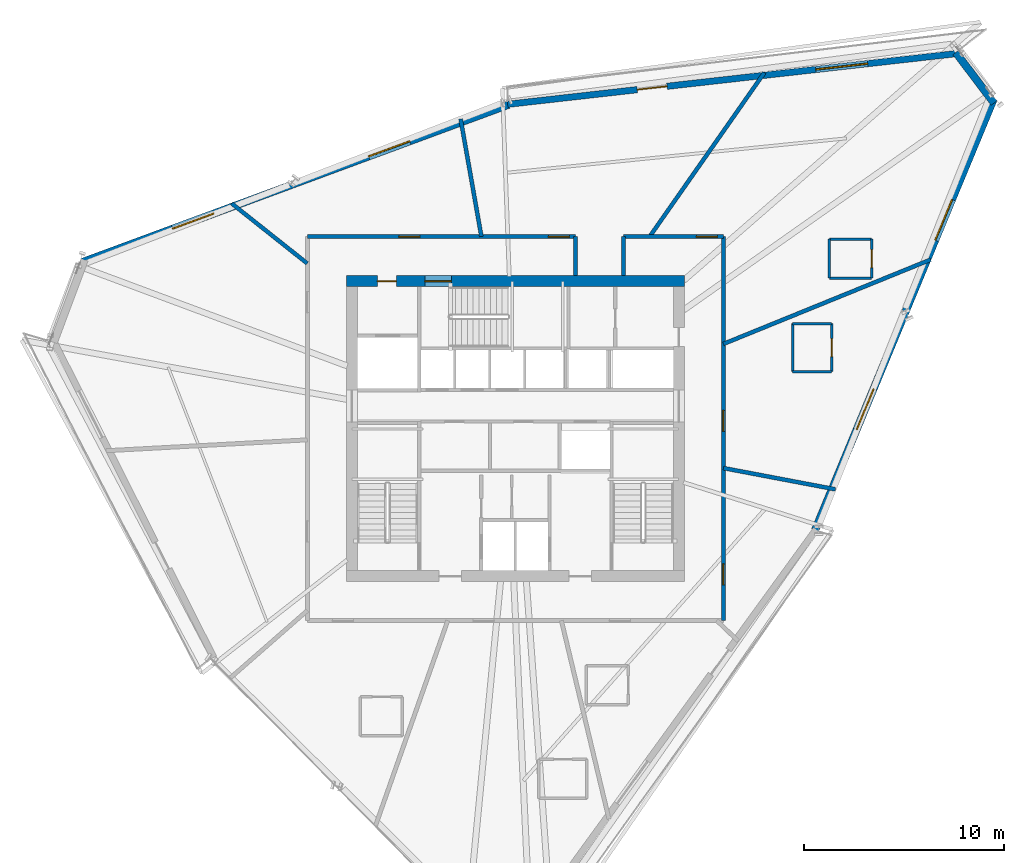
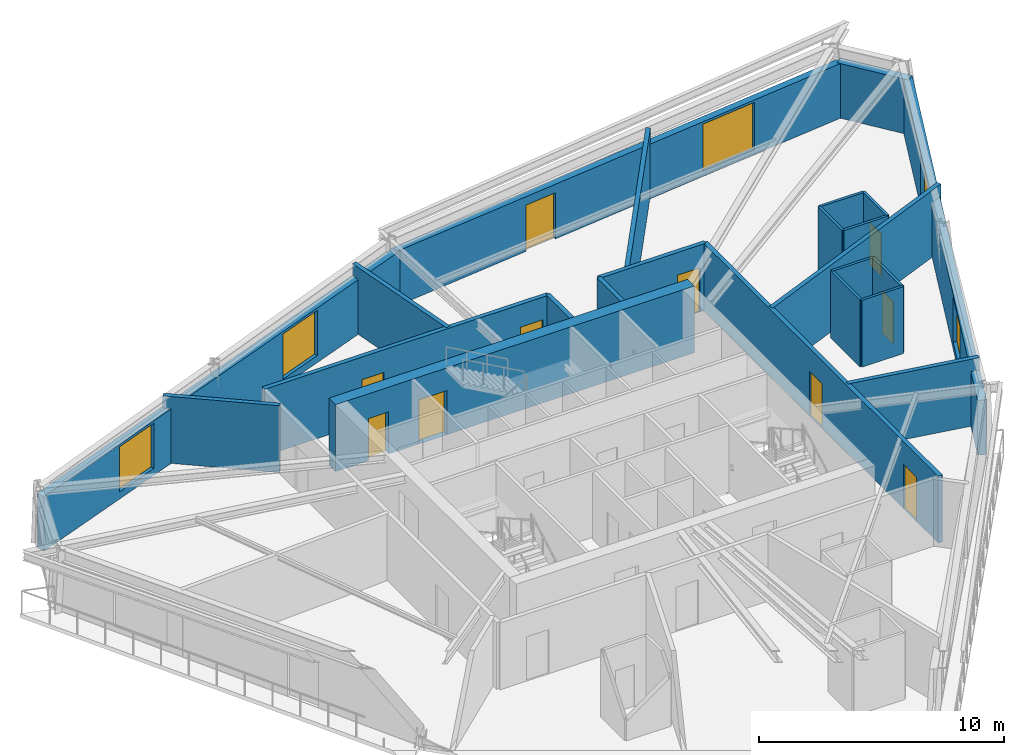
# One storey, part 10 of 14: 23 walls, 10 doors, 5 windows, 15 openings.
"""IFC4 building model written with IfcOpenShell, lengths in metres."""

from ifc_helpers import new_model, si_unit, direction, frame, frame_2d, origin, place, context, subcontext, project, spatial, rectangle, extrude, source, transform, mapped, material, layer, layer_set, type_object, type_shapes, element, fill, save


model = new_model("IFC4")

# Units and contexts
model_context = context("Model", 3, precision=1e-05, world=origin(), true_north=direction((0.0, 1.0)))
body_context = subcontext(model_context, "Body", "Model", "MODEL_VIEW")
ifc_project = project(units=[si_unit("LENGTHUNIT", "METRE"), si_unit("AREAUNIT", "SQUARE_METRE"), si_unit("VOLUMEUNIT", "CUBIC_METRE"), si_unit("PLANEANGLEUNIT", "RADIAN"), si_unit("MASSUNIT", "GRAM", prefix="KILO")], contexts=[model_context])

# Site, building, storey
site_placement = place(None, origin())
site = spatial("IfcSite", under=ifc_project, at=site_placement, CompositionType="ELEMENT")
building_placement = place(site_placement, origin())
building = spatial("IfcBuilding", under=site, at=building_placement, Name="Olszyna Solenne Hotel", CompositionType="ELEMENT")
storey_placement = place(building_placement, frame((0.0, 0.0, 185.64990234375)))
storey = spatial("IfcBuildingStorey", under=building, at=storey_placement, Name="L49", CompositionType="ELEMENT", Elevation=185.64990234375)

# Wall, openings, doors
ifc_material_1 = material(Name="Concrete C50/60", Category="concrete")
ifc_layer_1 = layer(ifc_material_1, 0.550048828125, Name="Concrete C50/60")
ifc_layer_set_1 = layer_set([ifc_layer_1], Name="Concrete C50/60")
wall_type_1 = type_object("IfcWallType", Name="WL-CR550", PredefinedType="SHEAR", material=ifc_layer_set_1)
wall_1_placement = place(storey_placement, frame((29.550048828125, 33.97509765625, 0.0), z_axis=(0.0, 0.0, 1.0), x_axis=(1.0, 0.0, 0.0)))
wall_1 = element("IfcWall", 1, at=wall_1_placement, inside=storey, type_object=wall_type_1, Name="Core shear wall WL-CR550 CRW-L49-N", PredefinedType="SHEAR", context=body_context, shape_type="SweptSolid", body=[
    extrude(rectangle(XDim=16.89990234375, YDim=0.550048828125, at=frame_2d((8.449951171875, 0.0))), origin(), (0.0, 0.0, 1.0), 3.330078125),
])
opening_1_placement = place(wall_1_placement, frame((1.550048828125, 0.0, 0.0)))
opening_1 = element("IfcOpeningElement", 2, at=opening_1_placement, cuts=wall_1, Name="Opening SVD-L49-01", PredefinedType="OPENING", context=body_context, shape_type="SweptSolid", body=[
    extrude(rectangle(XDim=0.949951171875, YDim=2.10009765625, at=frame_2d((0.47509765625, 1.050048828125))), frame((0.0, 0.28515625, 0.0), z_axis=(0.0, -1.0, 0.0), x_axis=(1.0, 0.0, 0.0)), (0.0, 0.0, 1.0), 0.570068359375),
])
opening_2_placement = place(wall_1_placement, frame((3.929931640625, 0.0, 0.0)))
opening_2 = element("IfcOpeningElement", 3, at=opening_2_placement, cuts=wall_1, Name="Opening STD-L49-03", PredefinedType="OPENING", context=body_context, shape_type="SweptSolid", body=[
    extrude(rectangle(XDim=1.320068359375, YDim=2.199951171875, at=frame_2d((0.66015625, 1.10009765625))), frame((0.0, 0.28515625, 0.0), z_axis=(0.0, -1.0, 0.0), x_axis=(1.0, 0.0, 0.0)), (0.0, 0.0, 1.0), 0.570068359375),
])
ifc_material_2 = material(Name="Steel S355J2", Category="steel")
door_type_1 = type_object("IfcDoorType", Name="DR-ST1", OperationType="NOTDEFINED", PredefinedType="DOOR", material=ifc_material_2)
shared_shape_1 = source(origin(), body_context, "Body", "SweptSolid", [
    extrude(rectangle(XDim=1.320068359375, YDim=2.199951171875, at=frame_2d((0.66015625, 1.10009765625))), frame((0.0, 0.02490234375, 0.0), z_axis=(0.0, -1.0, 0.0), x_axis=(1.0, 0.0, 0.0)), (0.0, 0.0, 1.0), 0.050048828125),
])
type_shapes(door_type_1, [shared_shape_1])
door_1_placement = place(opening_2_placement, origin())
door_1 = element("IfcDoor", 4, at=door_1_placement, inside=storey, type_object=door_type_1, Name="Pressurised exit stair ST3 fire door STD-L49-03", OperationType="SINGLE_SWING_RIGHT", OverallHeight=2.199951171875, OverallWidth=1.320068359375, PredefinedType="DOOR", context=body_context, shape_type="MappedRepresentation", body=[
    mapped(shared_shape_1, transform((0.0, 0.0, 0.0), x_axis=(1.0, 0.0, 0.0), y_axis=(0.0, 1.0, 0.0), z_axis=(0.0, 0.0, 1.0), scale=1.0)),
])
fill(opening_2, door_1)
door_type_2 = type_object("IfcDoorType", Name="DR-SV1", OperationType="NOTDEFINED", PredefinedType="DOOR", material=ifc_material_2)
shared_shape_2 = source(origin(), body_context, "Body", "SweptSolid", [
    extrude(rectangle(XDim=0.949951171875, YDim=2.10009765625, at=frame_2d((0.47509765625, 1.050048828125))), frame((0.0, 0.02490234375, 0.0), z_axis=(0.0, -1.0, 0.0), x_axis=(1.0, 0.0, 0.0)), (0.0, 0.0, 1.0), 0.050048828125),
])
type_shapes(door_type_2, [shared_shape_2])
door_2_placement = place(opening_1_placement, origin())
door_2 = element("IfcDoor", 5, at=door_2_placement, inside=storey, type_object=door_type_2, Name="Service lift lobby fire door SVD-L49-01", OperationType="SINGLE_SWING_LEFT", OverallHeight=2.10009765625, OverallWidth=0.949951171875, PredefinedType="DOOR", context=body_context, shape_type="MappedRepresentation", body=[
    mapped(shared_shape_2, transform((0.0, 0.0, 0.0), x_axis=(1.0, 0.0, 0.0), y_axis=(0.0, 1.0, 0.0), z_axis=(0.0, 0.0, 1.0), scale=1.0)),
])
fill(opening_1, door_2)

# Wall, openings, door, window
ifc_material_3 = material(Name="Precast concrete C45/55", Category="concrete")
ifc_layer_2 = layer(ifc_material_3, 0.320068359375, Name="Precast concrete C45/55")
ifc_layer_set_2 = layer_set([ifc_layer_2], Name="Precast concrete C45/55")
wall_type_2 = type_object("IfcWallType", Name="WL-EX320", PredefinedType="SOLIDWALL", material=ifc_layer_set_2)
wall_2_placement = place(storey_placement, frame((37.612060546875, 42.80810546875, 0.0), z_axis=(0.0, 0.0, 1.0), x_axis=(0.993680751004, 0.112243329794, 0.0)))
wall_2 = element("IfcWall", 6, at=wall_2_placement, inside=storey, type_object=wall_type_2, Name="Exterior terracotta-precast frame wall WL-EX320 EW-L49-08", PredefinedType="SOLIDWALL", context=body_context, shape_type="SweptSolid", body=[
    extrude(rectangle(XDim=22.714599609375, YDim=0.320068359375, at=frame_2d((11.357421875, 0.0))), origin(), (0.0, 0.0, 1.0), 2.72216796875),
])
opening_3_placement = place(wall_2_placement, frame((6.51904296875, 0.0, 0.0)))
opening_3 = element("IfcOpeningElement", 7, at=opening_3_placement, cuts=wall_2, Name="Opening LDG-L49-1", PredefinedType="OPENING", context=body_context, shape_type="SweptSolid", body=[
    extrude(rectangle(XDim=1.5, YDim=2.300048828125, at=frame_2d((0.75, 1.14990234375))), frame((0.0, 0.169921875, 0.0), z_axis=(0.0, -1.0, 0.0), x_axis=(1.0, 0.0, 0.0)), (0.0, 0.0, 1.0), 0.340087890625),
])
opening_4_placement = place(wall_2_placement, frame((15.509033203125, 0.0, 0.251953125)))
opening_4 = element("IfcOpeningElement", 8, at=opening_4_placement, cuts=wall_2, Name="Opening WN-L49-312", PredefinedType="OPENING", context=body_context, shape_type="SweptSolid", body=[
    extrude(rectangle(XDim=2.60009765625, YDim=2.35009765625, at=frame_2d((1.300048828125, 1.175048828125))), frame((0.0, 0.169921875, 0.0), z_axis=(0.0, -1.0, 0.0), x_axis=(1.0, 0.0, 0.0)), (0.0, 0.0, 1.0), 0.340087890625),
])
ifc_material_4 = material(Name="Anodised bronze aluminium", Category="aluminium")
door_type_3 = type_object("IfcDoorType", Name="DR-LG2", OperationType="DOUBLE_DOOR_SINGLE_SWING", PredefinedType="DOOR", material=ifc_material_4)
shared_shape_3 = source(origin(), body_context, "Body", "SweptSolid", [
    extrude(rectangle(XDim=1.5, YDim=2.300048828125, at=frame_2d((0.75, 1.14990234375))), frame((0.0, 0.02490234375, 0.0), z_axis=(0.0, -1.0, 0.0), x_axis=(1.0, 0.0, 0.0)), (0.0, 0.0, 1.0), 0.050048828125),
])
type_shapes(door_type_3, [shared_shape_3])
door_3_placement = place(opening_3_placement, origin())
door_3 = element("IfcDoor", 9, at=door_3_placement, inside=storey, type_object=door_type_3, Name="Exterior loggia balcony door DR-LG2 LDG-L49-1", OperationType="DOUBLE_DOOR_SINGLE_SWING", OverallHeight=2.300048828125, OverallWidth=1.5, PredefinedType="DOOR", context=body_context, shape_type="MappedRepresentation", body=[
    mapped(shared_shape_3, transform((0.0, 0.0, 0.0), x_axis=(1.0, 0.0, 0.0), y_axis=(0.0, 1.0, 0.0), z_axis=(0.0, 0.0, 1.0), scale=1.0)),
])
fill(opening_3, door_3)
ifc_material_5 = material(Name="Low-E triple glazing", Category="glass")
window_type_1 = type_object("IfcWindowType", Name="WN-ST1", PartitioningType="SINGLE_PANEL", PredefinedType="WINDOW", material=ifc_material_5)
shared_shape_4 = source(origin(), body_context, "Body", "SweptSolid", [
    extrude(rectangle(XDim=2.60009765625, YDim=2.35009765625, at=frame_2d((1.300048828125, 1.175048828125))), frame((0.0, 0.030029296875, 0.0), z_axis=(0.0, -1.0, 0.0), x_axis=(1.0, 0.0, 0.0)), (0.0, 0.0, 1.0), 0.06005859375),
])
type_shapes(window_type_1, [shared_shape_4])
window_1_placement = place(opening_4_placement, origin())
window_1 = element("IfcWindow", 10, at=window_1_placement, inside=storey, type_object=window_type_1, Name="Loggia room window WN-ST1 WN-L49-312", OverallHeight=2.35009765625, OverallWidth=2.60009765625, PartitioningType="SINGLE_PANEL", PredefinedType="WINDOW", context=body_context, shape_type="MappedRepresentation", body=[
    mapped(shared_shape_4, transform((0.0, 0.0, 0.0), x_axis=(1.0, 0.0, 0.0), y_axis=(0.0, 1.0, 0.0), z_axis=(0.0, 0.0, 1.0), scale=1.0)),
])
fill(opening_4, window_1)

# Wall, openings, windows
ifc_material_6 = material(Name="Terracotta cladding on precast concrete C45/55", Category="masonry")
ifc_layer_3 = layer(ifc_material_6, 0.3798828125, Name="Terracotta cladding on precast concrete C45/55")
ifc_layer_set_3 = layer_set([ifc_layer_3], Name="Terracotta cladding on precast concrete C45/55")
wall_type_3 = type_object("IfcWallType", Name="WL-EX380", PredefinedType="SOLIDWALL", material=ifc_layer_set_3)
wall_3_placement = place(storey_placement, frame((16.350830078125, 34.92236328125, 0.0), z_axis=(0.0, 0.0, 1.0), x_axis=(0.938118125274, 0.346315438629, 0.0)))
wall_3 = element("IfcWall", 11, at=wall_3_placement, inside=storey, type_object=wall_type_3, Name="Exterior terracotta-precast frame wall WL-EX380 EW-L49-07", PredefinedType="SOLIDWALL", context=body_context, shape_type="SweptSolid", body=[
    extrude(rectangle(XDim=22.714599609375, YDim=0.3798828125, at=frame_2d((11.357421875, 0.0))), origin(), (0.0, 0.0, 1.0), 2.72216796875),
])
opening_5_placement = place(wall_3_placement, frame((4.81005859375, 0.0, 0.35205078125)))
opening_5 = element("IfcOpeningElement", 12, at=opening_5_placement, cuts=wall_3, Name="Opening WN-L49-310", PredefinedType="OPENING", context=body_context, shape_type="SweptSolid", body=[
    extrude(rectangle(XDim=2.199951171875, YDim=2.25, at=frame_2d((1.10009765625, 1.125))), frame((0.0, 0.199951171875, 0.0), z_axis=(0.0, -1.0, 0.0), x_axis=(1.0, 0.0, 0.0)), (0.0, 0.0, 1.0), 0.39990234375),
])
opening_6_placement = place(wall_3_placement, frame((15.2548828125, 0.0, 0.35205078125)))
opening_6 = element("IfcOpeningElement", 13, at=opening_6_placement, cuts=wall_3, Name="Opening WN-L49-311", PredefinedType="OPENING", context=body_context, shape_type="SweptSolid", body=[
    extrude(rectangle(XDim=2.199951171875, YDim=2.25, at=frame_2d((1.10009765625, 1.125))), frame((0.0, 0.199951171875, 0.0), z_axis=(0.0, -1.0, 0.0), x_axis=(1.0, 0.0, 0.0)), (0.0, 0.0, 1.0), 0.39990234375),
])
window_type_2 = type_object("IfcWindowType", Name="WN-HT2", PartitioningType="SINGLE_PANEL", PredefinedType="WINDOW", material=ifc_material_5)
shared_shape_5 = source(origin(), body_context, "Body", "SweptSolid", [
    extrude(rectangle(XDim=2.199951171875, YDim=2.25, at=frame_2d((1.10009765625, 1.125))), frame((0.0, 0.030029296875, 0.0), z_axis=(0.0, -1.0, 0.0), x_axis=(1.0, 0.0, 0.0)), (0.0, 0.0, 1.0), 0.06005859375),
])
type_shapes(window_type_2, [shared_shape_5])
window_2_placement = place(opening_5_placement, origin())
window_2 = element("IfcWindow", 14, at=window_2_placement, inside=storey, type_object=window_type_2, Name="Exterior facade window WN-HT2 WN-L49-310", OverallHeight=2.25, OverallWidth=2.199951171875, PartitioningType="SINGLE_PANEL", PredefinedType="WINDOW", context=body_context, shape_type="MappedRepresentation", body=[
    mapped(shared_shape_5, transform((0.0, 0.0, 0.0), x_axis=(1.0, 0.0, 0.0), y_axis=(0.0, 1.0, 0.0), z_axis=(0.0, 0.0, 1.0), scale=1.0)),
])
fill(opening_5, window_2)
window_3_placement = place(opening_6_placement, origin())
window_3 = element("IfcWindow", 15, at=window_3_placement, inside=storey, type_object=window_type_2, Name="Exterior facade window WN-HT2 WN-L49-311", OverallHeight=2.25, OverallWidth=2.199951171875, PartitioningType="SINGLE_PANEL", PredefinedType="WINDOW", context=body_context, shape_type="MappedRepresentation", body=[
    mapped(shared_shape_5, transform((0.0, 0.0, 0.0), x_axis=(1.0, 0.0, 0.0), y_axis=(0.0, 1.0, 0.0), z_axis=(0.0, 0.0, 1.0), scale=1.0)),
])
fill(opening_6, window_3)

# Wall
wall_4_placement = place(storey_placement, frame((60.013671875, 45.402099609375, 0.0), z_axis=(0.0, 0.0, 1.0), x_axis=(0.602530725423, -0.79809568657, 0.0)))
element("IfcWall", 16, at=wall_4_placement, inside=storey, type_object=wall_type_3, Name="Exterior terracotta-precast frame wall WL-EX380 EW-L49-09", PredefinedType="SOLIDWALL", context=body_context, shape_type="SweptSolid", body=[
    extrude(rectangle(XDim=3.17578125, YDim=0.3798828125, at=frame_2d((1.587890625, 0.0))), origin(), (0.0, 0.0, 1.0), 2.72216796875),
])

# Wall, openings, windows
wall_5_placement = place(storey_placement, frame((61.9033203125, 43.0546875, 0.0), z_axis=(0.0, 0.0, 1.0), x_axis=(-0.382868163496, -0.923802992732, 0.0)))
wall_5 = element("IfcWall", 17, at=wall_5_placement, inside=storey, type_object=wall_type_3, Name="Exterior terracotta-precast frame wall WL-EX380 EW-L49-10", PredefinedType="SOLIDWALL", context=body_context, shape_type="SweptSolid", body=[
    extrude(rectangle(XDim=23.285400390625, YDim=0.3798828125, at=frame_2d((11.642578125, 0.0))), origin(), (0.0, 0.0, 1.0), 2.72216796875),
])
opening_7_placement = place(wall_5_placement, frame((5.419921875, 0.0, 0.35205078125)))
opening_7 = element("IfcOpeningElement", 18, at=opening_7_placement, cuts=wall_5, Name="Opening WN-L49-313", PredefinedType="OPENING", context=body_context, shape_type="SweptSolid", body=[
    extrude(rectangle(XDim=2.199951171875, YDim=2.25, at=frame_2d((1.10009765625, 1.125))), frame((0.0, 0.199951171875, 0.0), z_axis=(0.0, -1.0, 0.0), x_axis=(1.0, 0.0, 0.0)), (0.0, 0.0, 1.0), 0.39990234375),
])
opening_8_placement = place(wall_5_placement, frame((15.6650390625, 0.0, 0.35205078125)))
opening_8 = element("IfcOpeningElement", 19, at=opening_8_placement, cuts=wall_5, Name="Opening WN-L49-314", PredefinedType="OPENING", context=body_context, shape_type="SweptSolid", body=[
    extrude(rectangle(XDim=2.199951171875, YDim=2.25, at=frame_2d((1.10009765625, 1.125))), frame((0.0, 0.199951171875, 0.0), z_axis=(0.0, -1.0, 0.0), x_axis=(1.0, 0.0, 0.0)), (0.0, 0.0, 1.0), 0.39990234375),
])
window_4_placement = place(opening_7_placement, origin())
window_4 = element("IfcWindow", 20, at=window_4_placement, inside=storey, type_object=window_type_2, Name="Exterior facade window WN-HT2 WN-L49-313", OverallHeight=2.25, OverallWidth=2.199951171875, PartitioningType="SINGLE_PANEL", PredefinedType="WINDOW", context=body_context, shape_type="MappedRepresentation", body=[
    mapped(shared_shape_5, transform((0.0, 0.0, 0.0), x_axis=(1.0, 0.0, 0.0), y_axis=(0.0, 1.0, 0.0), z_axis=(0.0, 0.0, 1.0), scale=1.0)),
])
fill(opening_7, window_4)
window_5_placement = place(opening_8_placement, origin())
window_5 = element("IfcWindow", 21, at=window_5_placement, inside=storey, type_object=window_type_2, Name="Exterior facade window WN-HT2 WN-L49-314", OverallHeight=2.25, OverallWidth=2.199951171875, PartitioningType="SINGLE_PANEL", PredefinedType="WINDOW", context=body_context, shape_type="MappedRepresentation", body=[
    mapped(shared_shape_5, transform((0.0, 0.0, 0.0), x_axis=(1.0, 0.0, 0.0), y_axis=(0.0, 1.0, 0.0), z_axis=(0.0, 0.0, 1.0), scale=1.0)),
])
fill(opening_8, window_5)

# Wall, opening, door
ifc_material_7 = material(Name="Acoustic gypsum partition", Category="gypsum")
ifc_layer_4 = layer(ifc_material_7, 0.125, Name="Acoustic gypsum partition")
ifc_layer_set_4 = layer_set([ifc_layer_4], Name="Acoustic gypsum partition")
wall_type_4 = type_object("IfcWallType", Name="WL-PT125", PredefinedType="PARTITIONING", material=ifc_layer_set_4)
wall_6_placement = place(storey_placement, frame((53.806884765625, 29.451904296875, 0.0), z_axis=(0.0, 0.0, 1.0), x_axis=(0.0, 1.0, 0.0)))
wall_6 = element("IfcWall", 22, at=wall_6_placement, inside=storey, type_object=wall_type_4, Name="Interior acoustic partition WL-PT125 PW-L49-2771", PredefinedType="PARTITIONING", context=body_context, shape_type="SweptSolid", body=[
    extrude(rectangle(XDim=2.400146484375, YDim=0.125, at=frame_2d((1.2001953125, 0.0))), origin(), (0.0, 0.0, 1.0), 3.330078125),
])
opening_9_placement = place(wall_6_placement, frame((0.75, 0.0, 0.0)))
opening_9 = element("IfcOpeningElement", 23, at=opening_9_placement, cuts=wall_6, Name="Opening DR-L49-0669", PredefinedType="OPENING", context=body_context, shape_type="SweptSolid", body=[
    extrude(rectangle(XDim=0.89990234375, YDim=2.10009765625, at=frame_2d((0.449951171875, 1.050048828125))), frame((0.0, 0.072509765625, 0.0), z_axis=(0.0, -1.0, 0.0), x_axis=(1.0, 0.0, 0.0)), (0.0, 0.0, 1.0), 0.14501953125),
])
ifc_material_8 = material(Name="Timber hardwood", Category="wood")
door_type_4 = type_object("IfcDoorType", Name="DR-WC1", OperationType="NOTDEFINED", PredefinedType="DOOR", material=ifc_material_8)
shared_shape_6 = source(origin(), body_context, "Body", "SweptSolid", [
    extrude(rectangle(XDim=0.89990234375, YDim=2.10009765625, at=frame_2d((0.449951171875, 1.050048828125))), frame((0.0, 0.02490234375, 0.0), z_axis=(0.0, -1.0, 0.0), x_axis=(1.0, 0.0, 0.0)), (0.0, 0.0, 1.0), 0.050048828125),
])
type_shapes(door_type_4, [shared_shape_6])
door_4_placement = place(opening_9_placement, origin())
door_4 = element("IfcDoor", 24, at=door_4_placement, inside=storey, type_object=door_type_4, Name="En-Suite Bathroom Door DR-L49-0669", OperationType="SINGLE_SWING_RIGHT", OverallHeight=2.10009765625, OverallWidth=0.89990234375, PredefinedType="DOOR", context=body_context, shape_type="MappedRepresentation", body=[
    mapped(shared_shape_6, transform((0.0, 0.0, 0.0), x_axis=(1.0, 0.0, 0.0), y_axis=(0.0, 1.0, 0.0), z_axis=(0.0, 0.0, 1.0), scale=1.0)),
])
fill(opening_9, door_4)

# Walls
wall_7_placement = place(storey_placement, frame((53.806884765625, 31.85205078125, 0.0), z_axis=(0.0, 0.0, 1.0), x_axis=(-1.0, 0.0, 0.0)))
element("IfcWall", 25, at=wall_7_placement, inside=storey, type_object=wall_type_4, Name="Interior acoustic partition WL-PT125 PW-L49-2772", PredefinedType="PARTITIONING", context=body_context, shape_type="SweptSolid", body=[
    extrude(rectangle(XDim=1.949951171875, YDim=0.125, at=frame_2d((0.97509765625, 0.0))), origin(), (0.0, 0.0, 1.0), 3.330078125),
])
wall_8_placement = place(storey_placement, frame((51.85693359375, 31.85205078125, 0.0), z_axis=(0.0, 0.0, 1.0), x_axis=(0.0, -1.0, 0.0)))
element("IfcWall", 26, at=wall_8_placement, inside=storey, type_object=wall_type_4, Name="Interior acoustic partition WL-PT125 PW-L49-2773", PredefinedType="PARTITIONING", context=body_context, shape_type="SweptSolid", body=[
    extrude(rectangle(XDim=2.400146484375, YDim=0.125, at=frame_2d((1.2001953125, 0.0))), origin(), (0.0, 0.0, 1.0), 3.330078125),
])
wall_9_placement = place(storey_placement, frame((51.85693359375, 29.451904296875, 0.0), z_axis=(0.0, 0.0, 1.0), x_axis=(1.0, 0.0, 0.0)))
element("IfcWall", 27, at=wall_9_placement, inside=storey, type_object=wall_type_4, Name="Interior acoustic partition WL-PT125 PW-L49-2774", PredefinedType="PARTITIONING", context=body_context, shape_type="SweptSolid", body=[
    extrude(rectangle(XDim=1.949951171875, YDim=0.125, at=frame_2d((0.97509765625, 0.0))), origin(), (0.0, 0.0, 1.0), 3.330078125),
])

# Wall, opening, door
wall_10_placement = place(storey_placement, frame((55.801025390625, 34.114990234375, 0.0), z_axis=(0.0, 0.0, 1.0), x_axis=(0.0, 1.0, 0.0)))
wall_10 = element("IfcWall", 28, at=wall_10_placement, inside=storey, type_object=wall_type_4, Name="Interior acoustic partition WL-PT125 PW-L49-2775", PredefinedType="PARTITIONING", context=body_context, shape_type="SweptSolid", body=[
    extrude(rectangle(XDim=1.949951171875, YDim=0.125, at=frame_2d((0.97509765625, 0.0))), origin(), (0.0, 0.0, 1.0), 3.330078125),
])
opening_10_placement = place(wall_10_placement, frame((0.52490234375, 0.0, 0.0)))
opening_10 = element("IfcOpeningElement", 29, at=opening_10_placement, cuts=wall_10, Name="Opening DR-L49-0670", PredefinedType="OPENING", context=body_context, shape_type="SweptSolid", body=[
    extrude(rectangle(XDim=0.89990234375, YDim=2.10009765625, at=frame_2d((0.449951171875, 1.050048828125))), frame((0.0, 0.072509765625, 0.0), z_axis=(0.0, -1.0, 0.0), x_axis=(1.0, 0.0, 0.0)), (0.0, 0.0, 1.0), 0.14501953125),
])
door_5_placement = place(opening_10_placement, origin())
door_5 = element("IfcDoor", 30, at=door_5_placement, inside=storey, type_object=door_type_4, Name="En-Suite Bathroom Door DR-L49-0670", OperationType="SINGLE_SWING_RIGHT", OverallHeight=2.10009765625, OverallWidth=0.89990234375, PredefinedType="DOOR", context=body_context, shape_type="MappedRepresentation", body=[
    mapped(shared_shape_6, transform((0.0, 0.0, 0.0), x_axis=(1.0, 0.0, 0.0), y_axis=(0.0, 1.0, 0.0), z_axis=(0.0, 0.0, 1.0), scale=1.0)),
])
fill(opening_10, door_5)

# Walls
wall_11_placement = place(storey_placement, frame((55.801025390625, 36.06494140625, 0.0), z_axis=(0.0, 0.0, 1.0), x_axis=(-1.0, 0.0, 0.0)))
element("IfcWall", 31, at=wall_11_placement, inside=storey, type_object=wall_type_4, Name="Interior acoustic partition WL-PT125 PW-L49-2776", PredefinedType="PARTITIONING", context=body_context, shape_type="SweptSolid", body=[
    extrude(rectangle(XDim=2.10009765625, YDim=0.125, at=frame_2d((1.050048828125, 0.0))), origin(), (0.0, 0.0, 1.0), 3.330078125),
])
wall_12_placement = place(storey_placement, frame((53.700927734375, 36.06494140625, 0.0), z_axis=(0.0, 0.0, 1.0), x_axis=(0.0, -1.0, 0.0)))
element("IfcWall", 32, at=wall_12_placement, inside=storey, type_object=wall_type_4, Name="Interior acoustic partition WL-PT125 PW-L49-2777", PredefinedType="PARTITIONING", context=body_context, shape_type="SweptSolid", body=[
    extrude(rectangle(XDim=1.949951171875, YDim=0.125, at=frame_2d((0.97509765625, 0.0))), origin(), (0.0, 0.0, 1.0), 3.330078125),
])
wall_13_placement = place(storey_placement, frame((53.700927734375, 34.114990234375, 0.0), z_axis=(0.0, 0.0, 1.0), x_axis=(1.0, 0.0, 0.0)))
element("IfcWall", 33, at=wall_13_placement, inside=storey, type_object=wall_type_4, Name="Interior acoustic partition WL-PT125 PW-L49-2778", PredefinedType="PARTITIONING", context=body_context, shape_type="SweptSolid", body=[
    extrude(rectangle(XDim=2.10009765625, YDim=0.125, at=frame_2d((1.050048828125, 0.0))), origin(), (0.0, 0.0, 1.0), 3.330078125),
])
ifc_layer_5 = layer(ifc_material_7, 0.199951171875, Name="Acoustic gypsum partition")
ifc_layer_set_5 = layer_set([ifc_layer_5], Name="Acoustic gypsum partition")
wall_type_5 = type_object("IfcWallType", Name="WL-PT200", PredefinedType="PARTITIONING", material=ifc_layer_set_5)
wall_14_placement = place(storey_placement, frame((48.39990234375, 24.626220703125, 0.0), z_axis=(0.0, 0.0, 1.0), x_axis=(0.982464340051, -0.186450584681, 0.0)))
element("IfcWall", 34, at=wall_14_placement, inside=storey, type_object=wall_type_5, Name="Interior acoustic partition WL-PT200 PW-L49-2756", PredefinedType="PARTITIONING", context=body_context, shape_type="SweptSolid", body=[
    extrude(rectangle(XDim=5.698486328125, YDim=0.199951171875, at=frame_2d((2.84912109375, 0.0))), origin(), (0.0, 0.0, 1.0), 3.330078125),
])
wall_15_placement = place(storey_placement, frame((48.39990234375, 30.8310546875, 0.0), z_axis=(0.0, 0.0, 1.0), x_axis=(0.926275636958, 0.376846712042, 0.0)))
element("IfcWall", 35, at=wall_15_placement, inside=storey, type_object=wall_type_5, Name="Interior acoustic partition WL-PT200 PW-L49-2757", PredefinedType="PARTITIONING", context=body_context, shape_type="SweptSolid", body=[
    extrude(rectangle(XDim=11.18115234375, YDim=0.199951171875, at=frame_2d((5.590576171875, 0.0))), origin(), (0.0, 0.0, 1.0), 3.330078125),
])
wall_16_placement = place(storey_placement, frame((44.71630859375, 36.199951171875, 0.0), z_axis=(0.0, 0.0, 1.0), x_axis=(0.573232775322, 0.819392570931, 0.0)))
element("IfcWall", 36, at=wall_16_placement, inside=storey, type_object=wall_type_5, Name="Interior acoustic partition WL-PT200 PW-L49-2758", PredefinedType="PARTITIONING", context=body_context, shape_type="SweptSolid", body=[
    extrude(rectangle(XDim=9.993408203125, YDim=0.199951171875, at=frame_2d((4.99658203125, 0.0))), origin(), (0.0, 0.0, 1.0), 3.330078125),
])
wall_17_placement = place(storey_placement, frame((36.30322265625, 36.199951171875, 0.0), z_axis=(0.0, 0.0, 1.0), x_axis=(-0.174032770855, 0.98473986142, 0.0)))
element("IfcWall", 37, at=wall_17_placement, inside=storey, type_object=wall_type_5, Name="Interior acoustic partition WL-PT200 PW-L49-2759", PredefinedType="PARTITIONING", context=body_context, shape_type="SweptSolid", body=[
    extrude(rectangle(XDim=5.96630859375, YDim=0.199951171875, at=frame_2d((2.983154296875, 0.0))), origin(), (0.0, 0.0, 1.0), 3.330078125),
])
wall_18_placement = place(storey_placement, frame((27.60009765625, 34.854248046875, 0.0), z_axis=(0.0, 0.0, 1.0), x_axis=(-0.783268941763, 0.621683009957, 0.0)))
element("IfcWall", 38, at=wall_18_placement, inside=storey, type_object=wall_type_5, Name="Interior acoustic partition WL-PT200 PW-L49-2760", PredefinedType="PARTITIONING", context=body_context, shape_type="SweptSolid", body=[
    extrude(rectangle(XDim=4.8212890625, YDim=0.199951171875, at=frame_2d((2.41064453125, 0.0))), origin(), (0.0, 0.0, 1.0), 3.330078125),
])

# Wall, openings, doors
wall_19_placement = place(storey_placement, frame((27.60009765625, 36.199951171875, 0.0), z_axis=(0.0, 0.0, 1.0), x_axis=(1.0, 0.0, 0.0)))
wall_19 = element("IfcWall", 39, at=wall_19_placement, inside=storey, type_object=wall_type_5, Name="Interior acoustic partition WL-PT200 PW-L49-2785", PredefinedType="PARTITIONING", context=body_context, shape_type="SweptSolid", body=[
    extrude(rectangle(XDim=13.39990234375, YDim=0.199951171875, at=frame_2d((6.699951171875, 0.0))), origin(), (0.0, 0.0, 1.0), 3.330078125),
])
opening_11_placement = place(wall_19_placement, frame((12.050048828125, 0.0, 0.0)))
opening_11 = element("IfcOpeningElement", 40, at=opening_11_placement, cuts=wall_19, Name="Opening DR-L49-0677", PredefinedType="OPENING", context=body_context, shape_type="SweptSolid", body=[
    extrude(rectangle(XDim=1.050048828125, YDim=2.199951171875, at=frame_2d((0.52490234375, 1.10009765625))), frame((0.0, 0.10986328125, 0.0), z_axis=(0.0, -1.0, 0.0), x_axis=(1.0, 0.0, 0.0)), (0.0, 0.0, 1.0), 0.219970703125),
])
opening_12_placement = place(wall_19_placement, frame((4.574951171875, 0.0, 0.0)))
opening_12 = element("IfcOpeningElement", 41, at=opening_12_placement, cuts=wall_19, Name="Opening DR-L49-0678", PredefinedType="OPENING", context=body_context, shape_type="SweptSolid", body=[
    extrude(rectangle(XDim=1.050048828125, YDim=2.199951171875, at=frame_2d((0.52490234375, 1.10009765625))), frame((0.0, 0.10986328125, 0.0), z_axis=(0.0, -1.0, 0.0), x_axis=(1.0, 0.0, 0.0)), (0.0, 0.0, 1.0), 0.219970703125),
])
door_type_5 = type_object("IfcDoorType", Name="DR-RM2", OperationType="NOTDEFINED", PredefinedType="DOOR", material=ifc_material_8)
shared_shape_7 = source(origin(), body_context, "Body", "SweptSolid", [
    extrude(rectangle(XDim=1.050048828125, YDim=2.199951171875, at=frame_2d((0.52490234375, 1.10009765625))), frame((0.0, 0.02490234375, 0.0), z_axis=(0.0, -1.0, 0.0), x_axis=(1.0, 0.0, 0.0)), (0.0, 0.0, 1.0), 0.050048828125),
])
type_shapes(door_type_5, [shared_shape_7])
door_6_placement = place(opening_11_placement, origin())
door_6 = element("IfcDoor", 42, at=door_6_placement, inside=storey, type_object=door_type_5, Name="Conference Boardroom Entrance Door DR-L49-0677", OperationType="SINGLE_SWING_LEFT", OverallHeight=2.199951171875, OverallWidth=1.050048828125, PredefinedType="DOOR", context=body_context, shape_type="MappedRepresentation", body=[
    mapped(shared_shape_7, transform((0.0, 0.0, 0.0), x_axis=(1.0, 0.0, 0.0), y_axis=(0.0, 1.0, 0.0), z_axis=(0.0, 0.0, 1.0), scale=1.0)),
])
fill(opening_11, door_6)
door_7_placement = place(opening_12_placement, origin())
door_7 = element("IfcDoor", 43, at=door_7_placement, inside=storey, type_object=door_type_5, Name="Conference Boardroom Entrance Door DR-L49-0678", OperationType="SINGLE_SWING_RIGHT", OverallHeight=2.199951171875, OverallWidth=1.050048828125, PredefinedType="DOOR", context=body_context, shape_type="MappedRepresentation", body=[
    mapped(shared_shape_7, transform((0.0, 0.0, 0.0), x_axis=(1.0, 0.0, 0.0), y_axis=(0.0, 1.0, 0.0), z_axis=(0.0, 0.0, 1.0), scale=1.0)),
])
fill(opening_12, door_7)

# Wall
wall_20_placement = place(storey_placement, frame((41.0, 34.25, 0.0), z_axis=(0.0, 0.0, 1.0), x_axis=(0.0, 1.0, 0.0)))
element("IfcWall", 44, at=wall_20_placement, inside=storey, type_object=wall_type_5, Name="Interior acoustic partition WL-PT200 PW-L49-2786", PredefinedType="PARTITIONING", context=body_context, shape_type="SweptSolid", body=[
    extrude(rectangle(XDim=1.949951171875, YDim=0.199951171875, at=frame_2d((0.97509765625, 0.0))), origin(), (0.0, 0.0, 1.0), 3.330078125),
])

# Wall, opening, door
wall_21_placement = place(storey_placement, frame((43.39990234375, 36.199951171875, 0.0), z_axis=(0.0, 0.0, 1.0), x_axis=(1.0, 0.0, 0.0)))
wall_21 = element("IfcWall", 45, at=wall_21_placement, inside=storey, type_object=wall_type_5, Name="Interior acoustic partition WL-PT200 PW-L49-2787", PredefinedType="PARTITIONING", context=body_context, shape_type="SweptSolid", body=[
    extrude(rectangle(XDim=5.0, YDim=0.199951171875, at=frame_2d((2.5, 0.0))), origin(), (0.0, 0.0, 1.0), 3.330078125),
])
opening_13_placement = place(wall_21_placement, frame((3.64990234375, 0.0, 0.0)))
opening_13 = element("IfcOpeningElement", 46, at=opening_13_placement, cuts=wall_21, Name="Opening DR-L49-0679", PredefinedType="OPENING", context=body_context, shape_type="SweptSolid", body=[
    extrude(rectangle(XDim=1.050048828125, YDim=2.199951171875, at=frame_2d((0.52490234375, 1.10009765625))), frame((0.0, 0.10986328125, 0.0), z_axis=(0.0, -1.0, 0.0), x_axis=(1.0, 0.0, 0.0)), (0.0, 0.0, 1.0), 0.219970703125),
])
door_8_placement = place(opening_13_placement, origin())
door_8 = element("IfcDoor", 47, at=door_8_placement, inside=storey, type_object=door_type_5, Name="Deluxe Hotel Guestroom Entrance Door DR-L49-0679", OperationType="SINGLE_SWING_RIGHT", OverallHeight=2.199951171875, OverallWidth=1.050048828125, PredefinedType="DOOR", context=body_context, shape_type="MappedRepresentation", body=[
    mapped(shared_shape_7, transform((0.0, 0.0, 0.0), x_axis=(1.0, 0.0, 0.0), y_axis=(0.0, 1.0, 0.0), z_axis=(0.0, 0.0, 1.0), scale=1.0)),
])
fill(opening_13, door_8)

# Wall
wall_22_placement = place(storey_placement, frame((43.39990234375, 34.25, 0.0), z_axis=(0.0, 0.0, 1.0), x_axis=(0.0, 1.0, 0.0)))
element("IfcWall", 48, at=wall_22_placement, inside=storey, type_object=wall_type_5, Name="Interior acoustic partition WL-PT200 PW-L49-2788", PredefinedType="PARTITIONING", context=body_context, shape_type="SweptSolid", body=[
    extrude(rectangle(XDim=1.949951171875, YDim=0.199951171875, at=frame_2d((0.97509765625, 0.0))), origin(), (0.0, 0.0, 1.0), 3.330078125),
])

# Wall, openings, doors
wall_23_placement = place(storey_placement, frame((48.39990234375, 17.0, 0.0), z_axis=(0.0, 0.0, 1.0), x_axis=(0.0, 1.0, 0.0)))
wall_23 = element("IfcWall", 49, at=wall_23_placement, inside=storey, type_object=wall_type_5, Name="Interior acoustic partition WL-PT200 PW-L49-2789", PredefinedType="PARTITIONING", context=body_context, shape_type="SweptSolid", body=[
    extrude(rectangle(XDim=19.199951171875, YDim=0.199951171875, at=frame_2d((9.60009765625, 0.0))), origin(), (0.0, 0.0, 1.0), 3.330078125),
])
opening_14_placement = place(wall_23_placement, frame((1.7939453125, 0.0, 0.0)))
opening_14 = element("IfcOpeningElement", 50, at=opening_14_placement, cuts=wall_23, Name="Opening DR-L49-0680", PredefinedType="OPENING", context=body_context, shape_type="SweptSolid", body=[
    extrude(rectangle(XDim=1.050048828125, YDim=2.199951171875, at=frame_2d((0.52490234375, 1.10009765625))), frame((0.0, 0.10986328125, 0.0), z_axis=(0.0, -1.0, 0.0), x_axis=(1.0, 0.0, 0.0)), (0.0, 0.0, 1.0), 0.219970703125),
])
opening_15_placement = place(wall_23_placement, frame((9.465087890625, 0.0, 0.0)))
opening_15 = element("IfcOpeningElement", 51, at=opening_15_placement, cuts=wall_23, Name="Opening DR-L49-0681", PredefinedType="OPENING", context=body_context, shape_type="SweptSolid", body=[
    extrude(rectangle(XDim=1.050048828125, YDim=2.199951171875, at=frame_2d((0.52490234375, 1.10009765625))), frame((0.0, 0.10986328125, 0.0), z_axis=(0.0, -1.0, 0.0), x_axis=(1.0, 0.0, 0.0)), (0.0, 0.0, 1.0), 0.219970703125),
])
door_9_placement = place(opening_14_placement, origin())
door_9 = element("IfcDoor", 52, at=door_9_placement, inside=storey, type_object=door_type_5, Name="Deluxe Hotel Guestroom Entrance Door DR-L49-0680", OperationType="SINGLE_SWING_RIGHT", OverallHeight=2.199951171875, OverallWidth=1.050048828125, PredefinedType="DOOR", context=body_context, shape_type="MappedRepresentation", body=[
    mapped(shared_shape_7, transform((0.0, 0.0, 0.0), x_axis=(1.0, 0.0, 0.0), y_axis=(0.0, 1.0, 0.0), z_axis=(0.0, 0.0, 1.0), scale=1.0)),
])
fill(opening_14, door_9)
door_10_placement = place(opening_15_placement, origin())
door_10 = element("IfcDoor", 53, at=door_10_placement, inside=storey, type_object=door_type_5, Name="Deluxe Hotel Guestroom Entrance Door DR-L49-0681", OperationType="SINGLE_SWING_LEFT", OverallHeight=2.199951171875, OverallWidth=1.050048828125, PredefinedType="DOOR", context=body_context, shape_type="MappedRepresentation", body=[
    mapped(shared_shape_7, transform((0.0, 0.0, 0.0), x_axis=(1.0, 0.0, 0.0), y_axis=(0.0, 1.0, 0.0), z_axis=(0.0, 0.0, 1.0), scale=1.0)),
])
fill(opening_15, door_10)

save(model, "model.ifc")
